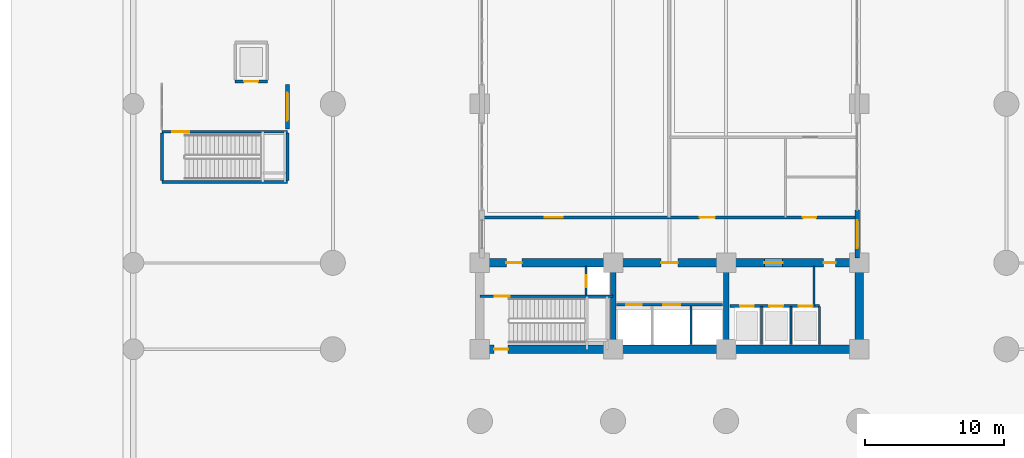
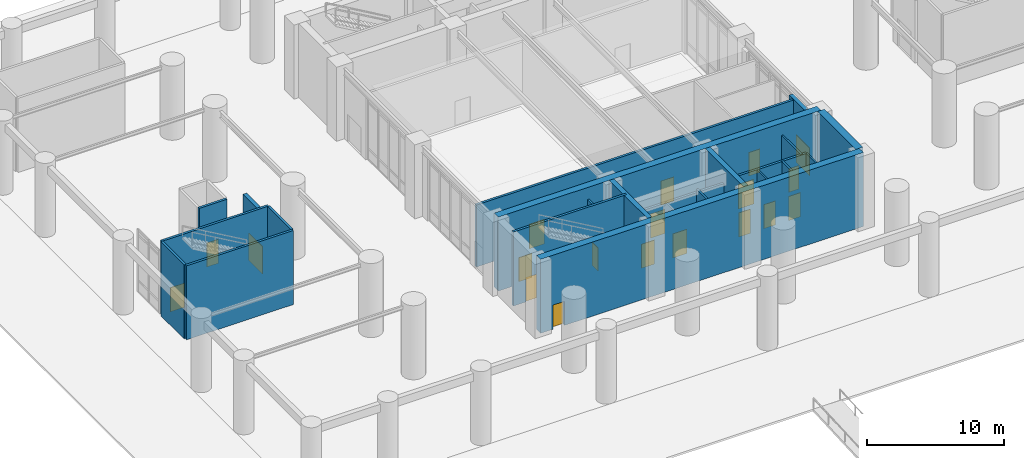
# One storey, part 7 of 16: 22 walls, 19 doors, 19 openings.
"""IFC4 building model written with IfcOpenShell, lengths in metres."""

from ifc_helpers import new_model, si_unit, direction, frame, frame_2d, origin, place, context, subcontext, project, spatial, rectangle, extrude, material, layer, layer_set, type_object, element, fill, save


model = new_model("IFC4")

# Units and contexts
model_context = context("Model", 3, precision=1e-05, world=origin(), true_north=direction((0.0, 1.0)))
body_context = subcontext(model_context, "Body", "Model", "MODEL_VIEW")
ifc_project = project(units=[si_unit("LENGTHUNIT", "METRE"), si_unit("AREAUNIT", "SQUARE_METRE"), si_unit("VOLUMEUNIT", "CUBIC_METRE"), si_unit("PLANEANGLEUNIT", "RADIAN"), si_unit("MASSUNIT", "GRAM", prefix="KILO")], contexts=[model_context])

# Site, building, storey
site_placement = place(None, origin())
site = spatial("IfcSite", under=ifc_project, at=site_placement, CompositionType="ELEMENT")
building_placement = place(site_placement, origin())
building = spatial("IfcBuilding", under=site, at=building_placement, Name="Svetorya Sky Lyceum", CompositionType="ELEMENT")
storey_placement = place(building_placement, origin())
storey = spatial("IfcBuildingStorey", under=building, at=storey_placement, Name="L00", CompositionType="ELEMENT", Elevation=0.0)

# Walls
ifc_material_1 = material(Name="Concrete C40/50", Category="concrete")
ifc_layer_1 = layer(ifc_material_1, 0.39990234375)
ifc_layer_set_1 = layer_set([ifc_layer_1], Name="Concrete C40/50")
wall_type_1 = type_object("IfcWallType", Name="WL-CORE-400", PredefinedType="SHEAR", material=ifc_layer_set_1)
for number, where, z_axis, x_axis, name in (
    (1, (35.14990234375, 10.89990234375, 0.0), (0.0, 0.0, 1.0), (0.0, 1.0, 0.0), "L00 SC Internal Shear Web WEB1"),
    (2, (43.25, 10.89990234375, 0.0), (0.0, 0.0, 1.0), (0.0, 1.0, 0.0), "L00 SC Internal Shear Web WEB2"),
):
    element("IfcWall", number, at=place(storey_placement, frame(where, z_axis=z_axis, x_axis=x_axis)), inside=storey, type_object=wall_type_1, Name=name, PredefinedType="SHEAR", context=body_context, shape_type="SweptSolid", body=[
        extrude(rectangle(XDim=5.60009765625, YDim=0.39990234375, at=frame_2d((2.800048828125, 0.0))), origin(), (0.0, 0.0, 1.0), 6.60009765625),
    ])

# Wall, opening, door
ifc_material_2 = material(Name="Concrete C60/75", Category="concrete")
ifc_layer_2 = layer(ifc_material_2, 0.60009765625)
ifc_layer_set_2 = layer_set([ifc_layer_2], Name="Concrete C60/75")
wall_type_2 = type_object("IfcWallType", Name="WL-CORE-600", PredefinedType="SHEAR", material=ifc_layer_set_2)
wall_1_placement = place(storey_placement, frame((52.800048828125, 10.60009765625, 0.0), z_axis=(0.0, 0.0, 1.0), x_axis=(-1.0, 0.0, 0.0)))
wall_1 = element("IfcWall", 3, at=wall_1_placement, inside=storey, type_object=wall_type_2, Name="L00 SC Outer Core Shear Wall", PredefinedType="SHEAR", context=body_context, shape_type="SweptSolid", body=[
    extrude(rectangle(XDim=27.199951171875, YDim=0.60009765625, at=frame_2d((13.60009765625, 0.0))), origin(), (0.0, 0.0, 1.0), 6.60009765625),
])
opening_1_placement = place(wall_1_placement, frame((25.179931640625, 0.0, 0.0)))
opening_1 = element("IfcOpeningElement", 4, at=opening_1_placement, cuts=wall_1, Name="Opening D-APT1", PredefinedType="OPENING", context=body_context, shape_type="SweptSolid", body=[
    extrude(rectangle(XDim=1.0, YDim=2.14990234375, at=frame_2d((0.5, 1.074951171875))), frame((0.0, 0.31005859375, 0.0), z_axis=(0.0, -1.0, 0.0), x_axis=(1.0, 0.0, 0.0)), (0.0, 0.0, 1.0), 0.6201171875),
])
ifc_material_3 = material(Name="Insulated oak-veneered apartment entrance door")
door_type_1 = type_object("IfcDoorType", Name="DR-APT-1000", OperationType="SINGLE_SWING_LEFT", PredefinedType="DOOR", material=ifc_material_3)
door_1_placement = place(opening_1_placement, origin())
door_1 = element("IfcDoor", 5, at=door_1_placement, inside=storey, type_object=door_type_1, Name="Stair ST-S Final Exit Discharge Door", OperationType="SINGLE_SWING_LEFT", OverallHeight=2.14990234375, OverallWidth=1.0, PredefinedType="DOOR", context=body_context, shape_type="SweptSolid", body=[
    extrude(rectangle(XDim=1.0, YDim=2.14990234375, at=frame_2d((0.5, 1.074951171875))), frame((0.0, 0.02490234375, 0.0), z_axis=(0.0, -1.0, 0.0), x_axis=(1.0, 0.0, 0.0)), (0.0, 0.0, 1.0), 0.050048828125),
])
fill(opening_1, door_1)

# Wall
wall_2_placement = place(storey_placement, frame((52.800048828125, 10.89990234375, 0.0), z_axis=(0.0, 0.0, 1.0), x_axis=(0.0, 1.0, 0.0)))
element("IfcWall", 6, at=wall_2_placement, inside=storey, type_object=wall_type_2, Name="L00 SC East Core Shear Wall", PredefinedType="SHEAR", context=body_context, shape_type="SweptSolid", body=[
    extrude(rectangle(XDim=5.60009765625, YDim=0.60009765625, at=frame_2d((2.800048828125, 0.0))), origin(), (0.0, 0.0, 1.0), 6.60009765625),
])

# Wall, openings, doors
wall_3_placement = place(storey_placement, frame((25.60009765625, 16.800048828125, 0.0), z_axis=(0.0, 0.0, 1.0), x_axis=(1.0, 0.0, 0.0)))
wall_3 = element("IfcWall", 7, at=wall_3_placement, inside=storey, type_object=wall_type_2, Name="L00 SC Inner Core Shear Wall", PredefinedType="SHEAR", context=body_context, shape_type="SweptSolid", body=[
    extrude(rectangle(XDim=27.199951171875, YDim=0.60009765625, at=frame_2d((13.60009765625, 0.0))), origin(), (0.0, 0.0, 1.0), 6.60009765625),
])
opening_2_placement = place(wall_3_placement, frame((1.89990234375, 0.0, 0.0)))
opening_2 = element("IfcOpeningElement", 8, at=opening_2_placement, cuts=wall_3, Name="Opening D-ST1", PredefinedType="OPENING", context=body_context, shape_type="SweptSolid", body=[
    extrude(rectangle(XDim=1.10009765625, YDim=2.14990234375, at=frame_2d((0.550048828125, 1.074951171875))), frame((0.0, 0.31005859375, 0.0), z_axis=(0.0, -1.0, 0.0), x_axis=(1.0, 0.0, 0.0)), (0.0, 0.0, 1.0), 0.6201171875),
])
opening_3_placement = place(wall_3_placement, frame((13.0, 0.0, 0.0)))
opening_3 = element("IfcOpeningElement", 9, at=opening_3_placement, cuts=wall_3, Name="Opening D-FL1", PredefinedType="OPENING", context=body_context, shape_type="SweptSolid", body=[
    extrude(rectangle(XDim=1.199951171875, YDim=2.14990234375, at=frame_2d((0.60009765625, 1.074951171875))), frame((0.0, 0.31005859375, 0.0), z_axis=(0.0, -1.0, 0.0), x_axis=(1.0, 0.0, 0.0)), (0.0, 0.0, 1.0), 0.6201171875),
])
opening_4_placement = place(wall_3_placement, frame((20.39990234375, 0.0, 0.0)))
opening_4 = element("IfcOpeningElement", 10, at=opening_4_placement, cuts=wall_3, Name="Opening D-LB1", PredefinedType="OPENING", context=body_context, shape_type="SweptSolid", body=[
    extrude(rectangle(XDim=1.300048828125, YDim=2.199951171875, at=frame_2d((0.64990234375, 1.10009765625))), frame((0.0, 0.31005859375, 0.0), z_axis=(0.0, -1.0, 0.0), x_axis=(1.0, 0.0, 0.0)), (0.0, 0.0, 1.0), 0.6201171875),
])
opening_5_placement = place(wall_3_placement, frame((24.64990234375, 0.0, 0.0)))
opening_5 = element("IfcOpeningElement", 11, at=opening_5_placement, cuts=wall_3, Name="Opening D-CWC1", PredefinedType="OPENING", context=body_context, shape_type="SweptSolid", body=[
    extrude(rectangle(XDim=0.85009765625, YDim=2.10009765625, at=frame_2d((0.425048828125, 1.050048828125))), frame((0.0, 0.31005859375, 0.0), z_axis=(0.0, -1.0, 0.0), x_axis=(1.0, 0.0, 0.0)), (0.0, 0.0, 1.0), 0.6201171875),
])
ifc_material_4 = material(Name="Fire-rated galvanized steel core service closet door", Category="steel")
door_type_2 = type_object("IfcDoorType", Name="DR-CWET-850", OperationType="SINGLE_SWING_LEFT", PredefinedType="DOOR", material=ifc_material_4)
door_2_placement = place(opening_5_placement, origin())
door_2 = element("IfcDoor", 12, at=door_2_placement, inside=storey, type_object=door_type_2, Name="L00 South Core Auxiliary Door", OperationType="SINGLE_SWING_LEFT", OverallHeight=2.10009765625, OverallWidth=0.85009765625, PredefinedType="DOOR", context=body_context, shape_type="SweptSolid", body=[
    extrude(rectangle(XDim=0.85009765625, YDim=2.10009765625, at=frame_2d((0.425048828125, 1.050048828125))), frame((0.0, 0.02490234375, 0.0), z_axis=(0.0, -1.0, 0.0), x_axis=(1.0, 0.0, 0.0)), (0.0, 0.0, 1.0), 0.050048828125),
])
fill(opening_5, door_2)
ifc_material_5 = material(Name="Powder-coated insulated galvanized stair fire door")
door_type_3 = type_object("IfcDoorType", Name="DR-FIRE-1100", OperationType="SINGLE_SWING_LEFT", PredefinedType="DOOR", material=ifc_material_5)
door_3_placement = place(opening_2_placement, origin())
door_3 = element("IfcDoor", 13, at=door_3_placement, inside=storey, type_object=door_type_3, Name="L00 South Stair Airlock Door", OperationType="SINGLE_SWING_RIGHT", OverallHeight=2.14990234375, OverallWidth=1.10009765625, PredefinedType="DOOR", context=body_context, shape_type="SweptSolid", body=[
    extrude(rectangle(XDim=1.10009765625, YDim=2.14990234375, at=frame_2d((0.550048828125, 1.074951171875))), frame((0.0, 0.02490234375, 0.0), z_axis=(0.0, -1.0, 0.0), x_axis=(1.0, 0.0, 0.0)), (0.0, 0.0, 1.0), 0.050048828125),
])
fill(opening_2, door_3)
ifc_material_6 = material(Name="Powder-coated insulated galvanized fire door")
door_type_4 = type_object("IfcDoorType", Name="DR-FIRE-1200", OperationType="SINGLE_SWING_LEFT", PredefinedType="DOOR", material=ifc_material_6)
door_4_placement = place(opening_3_placement, origin())
door_4 = element("IfcDoor", 14, at=door_4_placement, inside=storey, type_object=door_type_4, Name="L00 South Firefighting Lift Lobby Door", OperationType="SINGLE_SWING_LEFT", OverallHeight=2.14990234375, OverallWidth=1.199951171875, PredefinedType="DOOR", context=body_context, shape_type="SweptSolid", body=[
    extrude(rectangle(XDim=1.199951171875, YDim=2.14990234375, at=frame_2d((0.60009765625, 1.074951171875))), frame((0.0, 0.02490234375, 0.0), z_axis=(0.0, -1.0, 0.0), x_axis=(1.0, 0.0, 0.0)), (0.0, 0.0, 1.0), 0.050048828125),
])
fill(opening_3, door_4)
ifc_material_7 = material(Name="Glazed fire-rated aluminium lobby door", Category="aluminium")
door_type_5 = type_object("IfcDoorType", Name="DR-LOB-1300", OperationType="SINGLE_SWING_LEFT", PredefinedType="DOOR", material=ifc_material_7)
door_5_placement = place(opening_4_placement, origin())
door_5 = element("IfcDoor", 15, at=door_5_placement, inside=storey, type_object=door_type_5, Name="L00 Low-Rise Lift Lobby Door", OperationType="SINGLE_SWING_RIGHT", OverallHeight=2.199951171875, OverallWidth=1.300048828125, PredefinedType="DOOR", context=body_context, shape_type="SweptSolid", body=[
    extrude(rectangle(XDim=1.300048828125, YDim=2.199951171875, at=frame_2d((0.64990234375, 1.10009765625))), frame((0.0, 0.02490234375, 0.0), z_axis=(0.0, -1.0, 0.0), x_axis=(1.0, 0.0, 0.0)), (0.0, 0.0, 1.0), 0.050048828125),
])
fill(opening_4, door_5)

# Wall, opening, door
ifc_material_8 = material(Name="Putilovo limestone rainscreen on autoclaved cellular masonry", Category="masonry")
ifc_layer_3 = layer(ifc_material_8, 0.300048828125)
ifc_layer_set_3 = layer_set([ifc_layer_3], Name="Putilovo limestone rainscreen on autoclaved cellular masonry")
wall_type_3 = type_object("IfcWallType", Name="WL-EXT-300", PredefinedType="SOLIDWALL", material=ifc_layer_set_3)
wall_4_placement = place(storey_placement, frame((11.800048828125, 26.39990234375, 0.0), z_axis=(0.0, 0.0, 1.0), x_axis=(0.0, 1.0, 0.0)))
wall_4 = element("IfcWall", 16, at=wall_4_placement, inside=storey, type_object=wall_type_3, Name="L00 Lyceum Vestibule Door Wall W", PredefinedType="SOLIDWALL", context=body_context, shape_type="SweptSolid", body=[
    extrude(rectangle(XDim=3.2001953125, YDim=0.300048828125, at=frame_2d((1.60009765625, 0.0))), origin(), (0.0, 0.0, 1.0), 5.580078125),
])
opening_6_placement = place(wall_4_placement, frame((0.60009765625, 0.0, 0.0)))
opening_6 = element("IfcOpeningElement", 17, at=opening_6_placement, cuts=wall_4, Name="Opening D-E1", PredefinedType="OPENING", context=body_context, shape_type="SweptSolid", body=[
    extrude(rectangle(XDim=2.0, YDim=2.449951171875, at=frame_2d((1.0, 1.22509765625))), frame((0.0, 0.159912109375, 0.0), z_axis=(0.0, -1.0, 0.0), x_axis=(1.0, 0.0, 0.0)), (0.0, 0.0, 1.0), 0.320068359375),
])
ifc_material_9 = material(Name="Thermally broken glazed bronze-anodized aluminium", Category="aluminium")
door_type_6 = type_object("IfcDoorType", Name="DR-ENT-2000", OperationType="DOUBLE_DOOR_SINGLE_SWING", PredefinedType="DOOR", material=ifc_material_9)
door_6_placement = place(opening_6_placement, origin())
door_6 = element("IfcDoor", 18, at=door_6_placement, inside=storey, type_object=door_type_6, Name="Lyceum Vestibule Entrance W", OperationType="DOUBLE_DOOR_SINGLE_SWING", OverallHeight=2.449951171875, OverallWidth=2.0, PredefinedType="DOOR", context=body_context, shape_type="SweptSolid", body=[
    extrude(rectangle(XDim=2.0, YDim=2.449951171875, at=frame_2d((1.0, 1.22509765625))), frame((0.0, 0.02490234375, 0.0), z_axis=(0.0, -1.0, 0.0), x_axis=(1.0, 0.0, 0.0)), (0.0, 0.0, 1.0), 0.050048828125),
])
fill(opening_6, door_6)

ifc_layer_4 = layer(ifc_material_8, 0.340087890625)
ifc_layer_set_4 = layer_set([ifc_layer_4], Name="Putilovo limestone rainscreen on autoclaved cellular masonry")
wall_type_4 = type_object("IfcWallType", Name="WL-EXT-340", PredefinedType="SOLIDWALL", material=ifc_layer_set_4)
wall_5_placement = place(storey_placement, frame((52.64990234375, 17.14990234375, 0.0), z_axis=(0.0, 0.0, 1.0), x_axis=(0.0, 1.0, 0.0)))
wall_5 = element("IfcWall", 19, at=wall_5_placement, inside=storey, type_object=wall_type_4, Name="L00 Pilotis Foyer Pier E1", PredefinedType="SOLIDWALL", context=body_context, shape_type="SweptSolid", body=[
    extrude(rectangle(XDim=3.4501953125, YDim=0.340087890625, at=frame_2d((1.72509765625, 0.0))), origin(), (0.0, 0.0, 1.0), 5.580078125),
])
opening_7_placement = place(wall_5_placement, frame((0.699951171875, 0.0, 0.0)))
opening_7 = element("IfcOpeningElement", 20, at=opening_7_placement, cuts=wall_5, Name="Opening D-E1", PredefinedType="OPENING", context=body_context, shape_type="SweptSolid", body=[
    extrude(rectangle(XDim=2.0, YDim=2.449951171875, at=frame_2d((1.0, 1.22509765625))), frame((0.0, 0.179931640625, 0.0), z_axis=(0.0, -1.0, 0.0), x_axis=(1.0, 0.0, 0.0)), (0.0, 0.0, 1.0), 0.360107421875),
])
door_7_placement = place(opening_7_placement, origin())
door_7 = element("IfcDoor", 21, at=door_7_placement, inside=storey, type_object=door_type_6, Name="Main Lyceum East Pilotis Entrance", OperationType="DOUBLE_DOOR_SINGLE_SWING", OverallHeight=2.449951171875, OverallWidth=2.0, PredefinedType="DOOR", context=body_context, shape_type="SweptSolid", body=[
    extrude(rectangle(XDim=2.0, YDim=2.449951171875, at=frame_2d((1.0, 1.22509765625))), frame((0.0, 0.02490234375, 0.0), z_axis=(0.0, -1.0, 0.0), x_axis=(1.0, 0.0, 0.0)), (0.0, 0.0, 1.0), 0.050048828125),
])
fill(opening_7, door_7)

ifc_material_10 = material(Name="Autoclaved cellular masonry blockwork with acoustic render", Category="masonry")
ifc_layer_5 = layer(ifc_material_10, 0.14990234375)
ifc_layer_set_5 = layer_set([ifc_layer_5], Name="Autoclaved cellular masonry blockwork with acoustic render")
wall_type_5 = type_object("IfcWallType", Name="WL-PART-150", PredefinedType="PARTITIONING", material=ifc_layer_set_5)
wall_6_placement = place(storey_placement, frame((33.199951171875, 14.5, 0.0), z_axis=(0.0, 0.0, 1.0), x_axis=(0.0, 1.0, 0.0)))
wall_6 = element("IfcWall", 22, at=wall_6_placement, inside=storey, type_object=wall_type_5, Name="L00 Interior Partition SC-AIRDIV", PredefinedType="PARTITIONING", context=body_context, shape_type="SweptSolid", body=[
    extrude(rectangle(XDim=2.080078125, YDim=0.14990234375, at=frame_2d((1.0400390625, 0.0))), origin(), (0.0, 0.0, 1.0), 5.52001953125),
])
opening_8_placement = place(wall_6_placement, frame((0.550048828125, 0.0, 0.0)))
opening_8 = element("IfcOpeningElement", 23, at=opening_8_placement, cuts=wall_6, Name="Opening D-SH1", PredefinedType="OPENING", context=body_context, shape_type="SweptSolid", body=[
    extrude(rectangle(XDim=0.85009765625, YDim=2.050048828125, at=frame_2d((0.425048828125, 1.02490234375))), frame((0.0, 0.0849609375, 0.0), z_axis=(0.0, -1.0, 0.0), x_axis=(1.0, 0.0, 0.0)), (0.0, 0.0, 1.0), 0.169921875),
])
ifc_material_11 = material(Name="Insulated galvanized riser inspection fire door")
door_type_7 = type_object("IfcDoorType", Name="DR-SHFT-850", OperationType="SINGLE_SWING_LEFT", PredefinedType="TRAPDOOR", material=ifc_material_11)
door_8_placement = place(opening_8_placement, origin())
door_8 = element("IfcDoor", 24, at=door_8_placement, inside=storey, type_object=door_type_7, Name="L00 South Riser Access Door", OperationType="SINGLE_SWING_RIGHT", OverallHeight=2.050048828125, OverallWidth=0.85009765625, PredefinedType="TRAPDOOR", context=body_context, shape_type="SweptSolid", body=[
    extrude(rectangle(XDim=0.85009765625, YDim=2.050048828125, at=frame_2d((0.425048828125, 1.02490234375))), frame((0.0, 0.02490234375, 0.0), z_axis=(0.0, -1.0, 0.0), x_axis=(1.0, 0.0, 0.0)), (0.0, 0.0, 1.0), 0.050048828125),
])
fill(opening_8, door_8)

# Walls
wall_7_placement = place(storey_placement, frame((40.75, 10.949951171875, 0.0), z_axis=(0.0, 0.0, 1.0), x_axis=(0.0, 1.0, 0.0)))
element("IfcWall", 25, at=wall_7_placement, inside=storey, type_object=wall_type_5, Name="L00 Interior Partition SC-SHD2", PredefinedType="PARTITIONING", context=body_context, shape_type="SweptSolid", body=[
    extrude(rectangle(XDim=2.75, YDim=0.14990234375, at=frame_2d((1.375, 0.0))), origin(), (0.0, 0.0, 1.0), 5.52001953125),
])
for number, where, z_axis, x_axis, name in (
    (26, (45.800048828125, 10.949951171875, 0.0), (0.0, 0.0, 1.0), (0.0, 1.0, 0.0), "L00 Interior Partition SC-PL-DIV1"),
    (27, (47.89990234375, 10.949951171875, 0.0), (0.0, 0.0, 1.0), (0.0, 1.0, 0.0), "L00 Interior Partition SC-PL-DIV2"),
    (28, (49.949951171875, 10.949951171875, 0.0), (0.0, 0.0, 1.0), (0.0, 1.0, 0.0), "L00 Interior Partition SC-PL-END"),
):
    element("IfcWall", number, at=place(storey_placement, frame(where, z_axis=z_axis, x_axis=x_axis)), inside=storey, type_object=wall_type_5, Name=name, PredefinedType="PARTITIONING", context=body_context, shape_type="SweptSolid", body=[
        extrude(rectangle(XDim=2.699951171875, YDim=0.14990234375, at=frame_2d((1.35009765625, 0.0))), origin(), (0.0, 0.0, 1.0), 5.52001953125),
    ])
wall_8_placement = place(storey_placement, frame((49.550048828125, 13.699951171875, 0.0), z_axis=(0.0, 0.0, 1.0), x_axis=(0.0, 1.0, 0.0)))
element("IfcWall", 29, at=wall_8_placement, inside=storey, type_object=wall_type_5, Name="L00 Interior Partition SC-AUX-V", PredefinedType="PARTITIONING", context=body_context, shape_type="SweptSolid", body=[
    extrude(rectangle(XDim=2.880126953125, YDim=0.14990234375, at=frame_2d((1.43994140625, 0.0))), origin(), (0.0, 0.0, 1.0), 5.52001953125),
])

# Wall, openings, doors
ifc_material_12 = material(Name="Autoclaved cellular masonry blockwork with gypsum plaster", Category="masonry")
ifc_layer_6 = layer(ifc_material_12, 0.199951171875)
ifc_layer_set_6 = layer_set([ifc_layer_6], Name="Autoclaved cellular masonry blockwork with gypsum plaster")
wall_type_6 = type_object("IfcWallType", Name="WL-PART-200", PredefinedType="PARTITIONING", material=ifc_layer_set_6)
wall_9_placement = place(storey_placement, frame((35.39990234375, 13.800048828125, 0.0), z_axis=(0.0, 0.0, 1.0), x_axis=(1.0, 0.0, 0.0)))
wall_9 = element("IfcWall", 30, at=wall_9_placement, inside=storey, type_object=wall_type_6, Name="L00 Interior Partition SC-FLW", PredefinedType="PARTITIONING", context=body_context, shape_type="SweptSolid", body=[
    extrude(rectangle(XDim=7.60009765625, YDim=0.199951171875, at=frame_2d((3.800048828125, 0.0))), origin(), (0.0, 0.0, 1.0), 5.179931640625),
])
opening_9_placement = place(wall_9_placement, frame((0.699951171875, 0.0, 0.0)))
opening_9 = element("IfcOpeningElement", 31, at=opening_9_placement, cuts=wall_9, Name="Opening LD-FL", PredefinedType="OPENING", context=body_context, shape_type="SweptSolid", body=[
    extrude(rectangle(XDim=1.10009765625, YDim=2.14990234375, at=frame_2d((0.550048828125, 1.074951171875))), frame((0.0, 0.10986328125, 0.0), z_axis=(0.0, -1.0, 0.0), x_axis=(1.0, 0.0, 0.0)), (0.0, 0.0, 1.0), 0.219970703125),
])
opening_10_placement = place(wall_9_placement, frame((3.35009765625, 0.0, 0.0)))
opening_10 = element("IfcOpeningElement", 32, at=opening_10_placement, cuts=wall_9, Name="Opening LD-SV", PredefinedType="OPENING", context=body_context, shape_type="SweptSolid", body=[
    extrude(rectangle(XDim=1.199951171875, YDim=2.14990234375, at=frame_2d((0.60009765625, 1.074951171875))), frame((0.0, 0.10986328125, 0.0), z_axis=(0.0, -1.0, 0.0), x_axis=(1.0, 0.0, 0.0)), (0.0, 0.0, 1.0), 0.219970703125),
])
ifc_material_13 = material(Name="Fire-rated stainless AISI 304 firefighting lift landing door")
door_type_8 = type_object("IfcDoorType", Name="DR-LIFT-1100", OperationType="SLIDING_TO_LEFT", PredefinedType="DOOR", material=ifc_material_13)
door_9_placement = place(opening_9_placement, origin())
door_9 = element("IfcDoor", 33, at=door_9_placement, inside=storey, type_object=door_type_8, Name="L00 Firefighting Lift FL2 Landing Door", OperationType="SLIDING_TO_LEFT", OverallHeight=2.14990234375, OverallWidth=1.10009765625, PredefinedType="DOOR", context=body_context, shape_type="SweptSolid", body=[
    extrude(rectangle(XDim=1.10009765625, YDim=2.14990234375, at=frame_2d((0.550048828125, 1.074951171875))), frame((0.0, 0.02490234375, 0.0), z_axis=(0.0, -1.0, 0.0), x_axis=(1.0, 0.0, 0.0)), (0.0, 0.0, 1.0), 0.050048828125),
])
fill(opening_9, door_9)
ifc_material_14 = material(Name="Brushed stainless AISI 304 telescopic lift landing door")
door_type_9 = type_object("IfcDoorType", Name="DR-LIFT-1200", OperationType="SLIDING_TO_LEFT", PredefinedType="DOOR", material=ifc_material_14)
door_10_placement = place(opening_10_placement, origin())
door_10 = element("IfcDoor", 34, at=door_10_placement, inside=storey, type_object=door_type_9, Name="L00 Service Lift SVL1 Landing Door", OperationType="SLIDING_TO_LEFT", OverallHeight=2.14990234375, OverallWidth=1.199951171875, PredefinedType="DOOR", context=body_context, shape_type="SweptSolid", body=[
    extrude(rectangle(XDim=1.199951171875, YDim=2.14990234375, at=frame_2d((0.60009765625, 1.074951171875))), frame((0.0, 0.02490234375, 0.0), z_axis=(0.0, -1.0, 0.0), x_axis=(1.0, 0.0, 0.0)), (0.0, 0.0, 1.0), 0.050048828125),
])
fill(opening_10, door_10)

wall_10_placement = place(storey_placement, frame((43.550048828125, 13.699951171875, 0.0), z_axis=(0.0, 0.0, 1.0), x_axis=(1.0, 0.0, 0.0)))
wall_10 = element("IfcWall", 35, at=wall_10_placement, inside=storey, type_object=wall_type_6, Name="L00 Interior Partition SC-PLW", PredefinedType="PARTITIONING", context=body_context, shape_type="SweptSolid", body=[
    extrude(rectangle(XDim=6.39990234375, YDim=0.199951171875, at=frame_2d((3.199951171875, 0.0))), origin(), (0.0, 0.0, 1.0), 5.52001953125),
])
opening_11_placement = place(wall_10_placement, frame((0.699951171875, 0.0, 0.0)))
opening_11 = element("IfcOpeningElement", 36, at=opening_11_placement, cuts=wall_10, Name="Opening LD-P1", PredefinedType="OPENING", context=body_context, shape_type="SweptSolid", body=[
    extrude(rectangle(XDim=1.0, YDim=2.14990234375, at=frame_2d((0.5, 1.074951171875))), frame((0.0, 0.10986328125, 0.0), z_axis=(0.0, -1.0, 0.0), x_axis=(1.0, 0.0, 0.0)), (0.0, 0.0, 1.0), 0.219970703125),
])
opening_12_placement = place(wall_10_placement, frame((2.800048828125, 0.0, 0.0)))
opening_12 = element("IfcOpeningElement", 37, at=opening_12_placement, cuts=wall_10, Name="Opening LD-P1", PredefinedType="OPENING", context=body_context, shape_type="SweptSolid", body=[
    extrude(rectangle(XDim=1.0, YDim=2.14990234375, at=frame_2d((0.5, 1.074951171875))), frame((0.0, 0.10986328125, 0.0), z_axis=(0.0, -1.0, 0.0), x_axis=(1.0, 0.0, 0.0)), (0.0, 0.0, 1.0), 0.219970703125),
])
opening_13_placement = place(wall_10_placement, frame((4.89990234375, 0.0, 0.0)))
opening_13 = element("IfcOpeningElement", 38, at=opening_13_placement, cuts=wall_10, Name="Opening LD-P1", PredefinedType="OPENING", context=body_context, shape_type="SweptSolid", body=[
    extrude(rectangle(XDim=1.0, YDim=2.14990234375, at=frame_2d((0.5, 1.074951171875))), frame((0.0, 0.10986328125, 0.0), z_axis=(0.0, -1.0, 0.0), x_axis=(1.0, 0.0, 0.0)), (0.0, 0.0, 1.0), 0.219970703125),
])
ifc_material_15 = material(Name="Champagne-anodized stainless passenger lift landing door")
door_type_10 = type_object("IfcDoorType", Name="DR-LIFT-1000", OperationType="SLIDING_TO_LEFT", PredefinedType="DOOR", material=ifc_material_15)
door_11_placement = place(opening_11_placement, origin())
door_11 = element("IfcDoor", 39, at=door_11_placement, inside=storey, type_object=door_type_10, Name="L00 Passenger Lift PL1 Landing Door", OperationType="SLIDING_TO_LEFT", OverallHeight=2.14990234375, OverallWidth=1.0, PredefinedType="DOOR", context=body_context, shape_type="SweptSolid", body=[
    extrude(rectangle(XDim=1.0, YDim=2.14990234375, at=frame_2d((0.5, 1.074951171875))), frame((0.0, 0.02490234375, 0.0), z_axis=(0.0, -1.0, 0.0), x_axis=(1.0, 0.0, 0.0)), (0.0, 0.0, 1.0), 0.050048828125),
])
fill(opening_11, door_11)
door_12_placement = place(opening_12_placement, origin())
door_12 = element("IfcDoor", 40, at=door_12_placement, inside=storey, type_object=door_type_10, Name="L00 Passenger Lift PL2 Landing Door", OperationType="SLIDING_TO_LEFT", OverallHeight=2.14990234375, OverallWidth=1.0, PredefinedType="DOOR", context=body_context, shape_type="SweptSolid", body=[
    extrude(rectangle(XDim=1.0, YDim=2.14990234375, at=frame_2d((0.5, 1.074951171875))), frame((0.0, 0.02490234375, 0.0), z_axis=(0.0, -1.0, 0.0), x_axis=(1.0, 0.0, 0.0)), (0.0, 0.0, 1.0), 0.050048828125),
])
fill(opening_12, door_12)
door_13_placement = place(opening_13_placement, origin())
door_13 = element("IfcDoor", 41, at=door_13_placement, inside=storey, type_object=door_type_10, Name="L00 Passenger Lift PL3 Landing Door", OperationType="SLIDING_TO_LEFT", OverallHeight=2.14990234375, OverallWidth=1.0, PredefinedType="DOOR", context=body_context, shape_type="SweptSolid", body=[
    extrude(rectangle(XDim=1.0, YDim=2.14990234375, at=frame_2d((0.5, 1.074951171875))), frame((0.0, 0.02490234375, 0.0), z_axis=(0.0, -1.0, 0.0), x_axis=(1.0, 0.0, 0.0)), (0.0, 0.0, 1.0), 0.050048828125),
])
fill(opening_13, door_13)

# Wall, opening, door
wall_11_placement = place(storey_placement, frame((8.050048828125, 29.800048828125, 0.0), z_axis=(0.0, 0.0, 1.0), x_axis=(1.0, 0.0, 0.0)))
wall_11 = element("IfcWall", 42, at=wall_11_placement, inside=storey, type_object=wall_type_6, Name="L00 Interior Partition SHL-S-SCHL1", PredefinedType="PARTITIONING", context=body_context, shape_type="SweptSolid", body=[
    extrude(rectangle(XDim=2.300048828125, YDim=0.199951171875, at=frame_2d((1.14990234375, 0.0))), origin(), (0.0, 0.0, 1.0), 5.52001953125),
])
opening_14_placement = place(wall_11_placement, frame((0.64990234375, 0.0, 0.0)))
opening_14 = element("IfcOpeningElement", 43, at=opening_14_placement, cuts=wall_11, Name="Opening LD-P1", PredefinedType="OPENING", context=body_context, shape_type="SweptSolid", body=[
    extrude(rectangle(XDim=1.0, YDim=2.14990234375, at=frame_2d((0.5, 1.074951171875))), frame((0.0, 0.10986328125, 0.0), z_axis=(0.0, -1.0, 0.0), x_axis=(1.0, 0.0, 0.0)), (0.0, 0.0, 1.0), 0.219970703125),
])
door_14_placement = place(opening_14_placement, origin())
door_14 = element("IfcDoor", 44, at=door_14_placement, inside=storey, type_object=door_type_10, Name="L00 Lyceum Lift SCHL1 Landing Door", OperationType="SLIDING_TO_LEFT", OverallHeight=2.14990234375, OverallWidth=1.0, PredefinedType="DOOR", context=body_context, shape_type="SweptSolid", body=[
    extrude(rectangle(XDim=1.0, YDim=2.14990234375, at=frame_2d((0.5, 1.074951171875))), frame((0.0, 0.02490234375, 0.0), z_axis=(0.0, -1.0, 0.0), x_axis=(1.0, 0.0, 0.0)), (0.0, 0.0, 1.0), 0.050048828125),
])
fill(opening_14, door_14)

# Wall, openings, doors
wall_12_placement = place(storey_placement, frame((25.75, 20.050048828125, 0.0), z_axis=(0.0, 0.0, 1.0), x_axis=(1.0, 0.0, 0.0)))
wall_12 = element("IfcWall", 45, at=wall_12_placement, inside=storey, type_object=wall_type_6, Name="L00 Interior Partition L00-CS-W", PredefinedType="PARTITIONING", context=body_context, shape_type="SweptSolid", body=[
    extrude(rectangle(XDim=26.89990234375, YDim=0.199951171875, at=frame_2d((13.449951171875, 0.0))), origin(), (0.0, 0.0, 1.0), 5.52001953125),
])
opening_15_placement = place(wall_12_placement, frame((4.5, 0.0, 0.0)))
opening_15 = element("IfcOpeningElement", 46, at=opening_15_placement, cuts=wall_12, Name="Opening D-LB1", PredefinedType="OPENING", context=body_context, shape_type="SweptSolid", body=[
    extrude(rectangle(XDim=1.300048828125, YDim=2.199951171875, at=frame_2d((0.64990234375, 1.10009765625))), frame((0.0, 0.10986328125, 0.0), z_axis=(0.0, -1.0, 0.0), x_axis=(1.0, 0.0, 0.0)), (0.0, 0.0, 1.0), 0.219970703125),
])
opening_16_placement = place(wall_12_placement, frame((15.60009765625, 0.0, 0.0)))
opening_16 = element("IfcOpeningElement", 47, at=opening_16_placement, cuts=wall_12, Name="Opening D-ST1", PredefinedType="OPENING", context=body_context, shape_type="SweptSolid", body=[
    extrude(rectangle(XDim=1.10009765625, YDim=2.14990234375, at=frame_2d((0.550048828125, 1.074951171875))), frame((0.0, 0.10986328125, 0.0), z_axis=(0.0, -1.0, 0.0), x_axis=(1.0, 0.0, 0.0)), (0.0, 0.0, 1.0), 0.219970703125),
])
opening_17_placement = place(wall_12_placement, frame((23.0, 0.0, 0.0)))
opening_17 = element("IfcOpeningElement", 48, at=opening_17_placement, cuts=wall_12, Name="Opening D-WC1", PredefinedType="OPENING", context=body_context, shape_type="SweptSolid", body=[
    extrude(rectangle(XDim=0.949951171875, YDim=2.10009765625, at=frame_2d((0.47509765625, 1.050048828125))), frame((0.0, 0.10986328125, 0.0), z_axis=(0.0, -1.0, 0.0), x_axis=(1.0, 0.0, 0.0)), (0.0, 0.0, 1.0), 0.219970703125),
])
ifc_material_16 = material(Name="Moisture-resistant laminate accessible WC door")
door_type_11 = type_object("IfcDoorType", Name="DR-ACC-950", OperationType="SINGLE_SWING_LEFT", PredefinedType="DOOR", material=ifc_material_16)
door_15_placement = place(opening_17_placement, origin())
door_15 = element("IfcDoor", 49, at=door_15_placement, inside=storey, type_object=door_type_11, Name="Ground Accessible WC Door", OperationType="SINGLE_SWING_LEFT", OverallHeight=2.10009765625, OverallWidth=0.949951171875, PredefinedType="DOOR", context=body_context, shape_type="SweptSolid", body=[
    extrude(rectangle(XDim=0.949951171875, YDim=2.10009765625, at=frame_2d((0.47509765625, 1.050048828125))), frame((0.0, 0.02490234375, 0.0), z_axis=(0.0, -1.0, 0.0), x_axis=(1.0, 0.0, 0.0)), (0.0, 0.0, 1.0), 0.050048828125),
])
fill(opening_17, door_15)
door_16_placement = place(opening_16_placement, origin())
door_16 = element("IfcDoor", 50, at=door_16_placement, inside=storey, type_object=door_type_3, Name="Fire Control Post Door", OperationType="SINGLE_SWING_RIGHT", OverallHeight=2.14990234375, OverallWidth=1.10009765625, PredefinedType="DOOR", context=body_context, shape_type="SweptSolid", body=[
    extrude(rectangle(XDim=1.10009765625, YDim=2.14990234375, at=frame_2d((0.550048828125, 1.074951171875))), frame((0.0, 0.02490234375, 0.0), z_axis=(0.0, -1.0, 0.0), x_axis=(1.0, 0.0, 0.0)), (0.0, 0.0, 1.0), 0.050048828125),
])
fill(opening_16, door_16)
door_17_placement = place(opening_15_placement, origin())
door_17 = element("IfcDoor", 51, at=door_17_placement, inside=storey, type_object=door_type_5, Name="Residential Foyer South Door", OperationType="SINGLE_SWING_LEFT", OverallHeight=2.199951171875, OverallWidth=1.300048828125, PredefinedType="DOOR", context=body_context, shape_type="SweptSolid", body=[
    extrude(rectangle(XDim=1.300048828125, YDim=2.199951171875, at=frame_2d((0.64990234375, 1.10009765625))), frame((0.0, 0.02490234375, 0.0), z_axis=(0.0, -1.0, 0.0), x_axis=(1.0, 0.0, 0.0)), (0.0, 0.0, 1.0), 0.050048828125),
])
fill(opening_15, door_17)

# Wall, opening, door
ifc_material_17 = material(Name="Concrete C50/60", Category="concrete")
ifc_layer_7 = layer(ifc_material_17, 0.199951171875)
ifc_layer_set_7 = layer_set([ifc_layer_7], Name="Concrete C50/60")
wall_type_7 = type_object("IfcWallType", Name="WL-SHW-200", PredefinedType="SHEAR", material=ifc_layer_set_7)
wall_13_placement = place(storey_placement, frame((25.60009765625, 14.39990234375, 0.0), z_axis=(0.0, 0.0, 1.0), x_axis=(1.0, 0.0, 0.0)))
wall_13 = element("IfcWall", 52, at=wall_13_placement, inside=storey, type_object=wall_type_7, Name="L00 Structural Stair Shaft Wall SC-STW", PredefinedType="SHEAR", context=body_context, shape_type="SweptSolid", body=[
    extrude(rectangle(XDim=9.5498046875, YDim=0.199951171875, at=frame_2d((4.77490234375, 0.0))), origin(), (0.0, 0.0, 1.0), 6.60009765625),
])
opening_18_placement = place(wall_13_placement, frame((1.050048828125, 0.0, 0.0)))
opening_18 = element("IfcOpeningElement", 53, at=opening_18_placement, cuts=wall_13, Name="Opening D-ST1", PredefinedType="OPENING", context=body_context, shape_type="SweptSolid", body=[
    extrude(rectangle(XDim=1.10009765625, YDim=2.14990234375, at=frame_2d((0.550048828125, 1.074951171875))), frame((0.0, 0.10986328125, 0.0), z_axis=(0.0, -1.0, 0.0), x_axis=(1.0, 0.0, 0.0)), (0.0, 0.0, 1.0), 0.219970703125),
])
door_18_placement = place(opening_18_placement, origin())
door_18 = element("IfcDoor", 54, at=door_18_placement, inside=storey, type_object=door_type_3, Name="L00 Stair ST-S Vestibule Fire Door", OperationType="SINGLE_SWING_LEFT", OverallHeight=2.14990234375, OverallWidth=1.10009765625, PredefinedType="DOOR", context=body_context, shape_type="SweptSolid", body=[
    extrude(rectangle(XDim=1.10009765625, YDim=2.14990234375, at=frame_2d((0.550048828125, 1.074951171875))), frame((0.0, 0.02490234375, 0.0), z_axis=(0.0, -1.0, 0.0), x_axis=(1.0, 0.0, 0.0)), (0.0, 0.0, 1.0), 0.050048828125),
])
fill(opening_18, door_18)

# Walls
wall_14_placement = place(storey_placement, frame((2.800048828125, 22.60009765625, 0.0), z_axis=(0.0, 0.0, 1.0), x_axis=(1.0, 0.0, 0.0)))
element("IfcWall", 55, at=wall_14_placement, inside=storey, type_object=wall_type_7, Name="L00 Structural Stair Shaft Wall SCHW-S-W", PredefinedType="SHEAR", context=body_context, shape_type="SweptSolid", body=[
    extrude(rectangle(XDim=9.0, YDim=0.199951171875, at=frame_2d((4.5, 0.0))), origin(), (0.0, 0.0, 1.0), 6.60009765625),
])
for number, where, z_axis, x_axis, name in (
    (56, (2.800048828125, 22.699951171875, 0.0), (0.0, 0.0, 1.0), (0.0, 1.0, 0.0), "L00 Structural Stair Shaft Wall SCHW-W-W"),
    (57, (11.800048828125, 22.699951171875, 0.0), (0.0, 0.0, 1.0), (0.0, 1.0, 0.0), "L00 Structural Stair Shaft Wall SCHW-E-W"),
):
    element("IfcWall", number, at=place(storey_placement, frame(where, z_axis=z_axis, x_axis=x_axis)), inside=storey, type_object=wall_type_7, Name=name, PredefinedType="SHEAR", context=body_context, shape_type="SweptSolid", body=[
        extrude(rectangle(XDim=3.400146484375, YDim=0.199951171875, at=frame_2d((1.7001953125, 0.0))), origin(), (0.0, 0.0, 1.0), 6.60009765625),
    ])

# Wall, opening, door
wall_15_placement = place(storey_placement, frame((11.800048828125, 26.199951171875, 0.0), z_axis=(0.0, 0.0, 1.0), x_axis=(-1.0, 0.0, 0.0)))
wall_15 = element("IfcWall", 58, at=wall_15_placement, inside=storey, type_object=wall_type_7, Name="L00 Structural Stair Shaft Wall SCHW-N-W", PredefinedType="SHEAR", context=body_context, shape_type="SweptSolid", body=[
    extrude(rectangle(XDim=9.0, YDim=0.199951171875, at=frame_2d((4.5, 0.0))), origin(), (0.0, 0.0, 1.0), 6.60009765625),
])
opening_19_placement = place(wall_15_placement, frame((7.050048828125, 0.0, 0.0)))
opening_19 = element("IfcOpeningElement", 59, at=opening_19_placement, cuts=wall_15, Name="Opening D-FL1", PredefinedType="OPENING", context=body_context, shape_type="SweptSolid", body=[
    extrude(rectangle(XDim=1.199951171875, YDim=2.14990234375, at=frame_2d((0.60009765625, 1.074951171875))), frame((0.0, 0.10986328125, 0.0), z_axis=(0.0, -1.0, 0.0), x_axis=(1.0, 0.0, 0.0)), (0.0, 0.0, 1.0), 0.219970703125),
])
door_19_placement = place(opening_19_placement, origin())
door_19 = element("IfcDoor", 60, at=door_19_placement, inside=storey, type_object=door_type_4, Name="L00 Lyceum Stair W Fire Door", OperationType="SINGLE_SWING_LEFT", OverallHeight=2.14990234375, OverallWidth=1.199951171875, PredefinedType="DOOR", context=body_context, shape_type="SweptSolid", body=[
    extrude(rectangle(XDim=1.199951171875, YDim=2.14990234375, at=frame_2d((0.60009765625, 1.074951171875))), frame((0.0, 0.02490234375, 0.0), z_axis=(0.0, -1.0, 0.0), x_axis=(1.0, 0.0, 0.0)), (0.0, 0.0, 1.0), 0.050048828125),
])
fill(opening_19, door_19)

save(model, "model.ifc")
